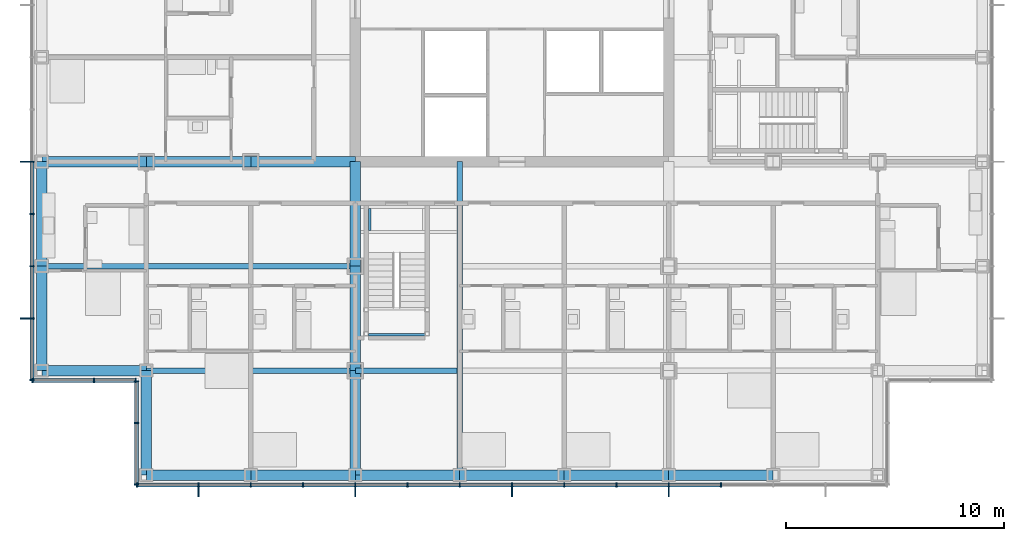
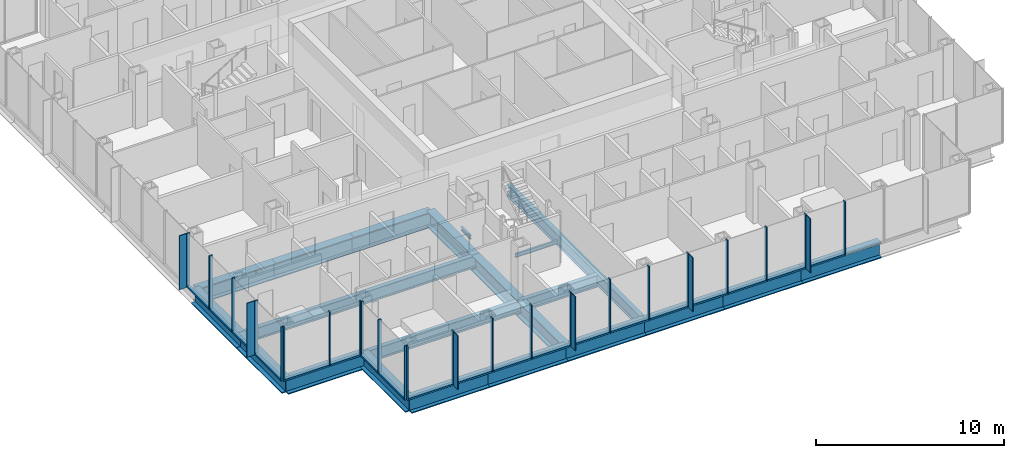
# One storey, part 6 of 22: 48 members, 22 beams, 4 elements without a shape of their own.
"""IFC4 building model written with IfcOpenShell, lengths in metres."""

from ifc_helpers import new_model, si_unit, direction, frame, origin, origin_2d, place, context, subcontext, project, spatial, rectangle, i_section, extrude, material, material_profile, profile_set, type_object, element, aggregate, save


model = new_model("IFC4")

# Units and contexts
model_context = context("Model", 3, precision=1e-05, world=origin(), true_north=direction((0.0, 1.0)))
body_context = subcontext(model_context, "Body", "Model", "MODEL_VIEW")
ifc_project = project(units=[si_unit("LENGTHUNIT", "METRE"), si_unit("AREAUNIT", "SQUARE_METRE"), si_unit("VOLUMEUNIT", "CUBIC_METRE"), si_unit("PLANEANGLEUNIT", "RADIAN"), si_unit("MASSUNIT", "GRAM", prefix="KILO")], contexts=[model_context])

# Site, building, storey
site_placement = place(None, origin())
site = spatial("IfcSite", under=ifc_project, at=site_placement, CompositionType="ELEMENT")
building_placement = place(site_placement, origin())
building = spatial("IfcBuilding", under=site, at=building_placement, Name="Kvirike Care Tower", CompositionType="ELEMENT")
storey_placement = place(building_placement, frame((0.0, 0.0, 69.0)))
storey = spatial("IfcBuildingStorey", under=building, at=storey_placement, Name="L18", CompositionType="ELEMENT", Elevation=69.0)

# Curtain wall, members
ifc_material_1 = material(Name="Anodised aluminium stick system", Category="aluminium")
curtain_wall_type = type_object("IfcCurtainWallType", Name="CW-A STICK CURTAIN WALL", PredefinedType="NOTDEFINED", material=ifc_material_1)
curtain_wall_1_placement = place(storey_placement, origin())
curtain_wall_1 = element("IfcCurtainWall", 1, at=curtain_wall_1_placement, inside=storey, type_object=curtain_wall_type, Name="Curtain wall L18 face 1", PredefinedType="NOTDEFINED")
ifc_material_2 = material(Name="Bronze anodised aluminium fin", Category="aluminium")
ifc_material_profile_1 = material_profile(ifc_material_2, rectangle(XDim=0.050048828125, YDim=0.449951171875, at=origin_2d()), Name="BRONZE FIN 450")
ifc_profile_set_1 = profile_set([ifc_material_profile_1], Name="Bronze anodised aluminium fin")
member_type_1 = type_object("IfcMemberType", Name="BRONZE FIN 450", PredefinedType="USERDEFINED", material=ifc_profile_set_1)
member_1_placement = place(storey_placement, frame((-0.77490234375, 28.800048828125, 0.0), z_axis=(0.0, 0.0, 1.0), x_axis=(0.0, -1.0, 0.0)))
member_1 = element("IfcMember", 2, at=member_1_placement, type_object=member_type_1, Name="Bronze fin L18 face 1.11", ObjectType="FIN", PredefinedType="USERDEFINED", context=body_context, shape_type="SweptSolid", body=[
    extrude(rectangle(XDim=0.050048828125, YDim=0.449951171875, at=origin_2d()), origin(), (0.0, 0.0, 1.0), 3.5),
])
member_2_placement = place(storey_placement, frame((-0.77490234375, 21.60009765625, 0.0), z_axis=(0.0, 0.0, 1.0), x_axis=(0.0, -1.0, 0.0)))
member_2 = element("IfcMember", 3, at=member_2_placement, type_object=member_type_1, Name="Bronze fin L18 face 1.14", ObjectType="FIN", PredefinedType="USERDEFINED", context=body_context, shape_type="SweptSolid", body=[
    extrude(rectangle(XDim=0.050048828125, YDim=0.449951171875, at=origin_2d()), origin(), (0.0, 0.0, 1.0), 3.5),
])

curtain_wall_2_placement = place(storey_placement, origin())
curtain_wall_2 = element("IfcCurtainWall", 4, at=curtain_wall_2_placement, inside=storey, type_object=curtain_wall_type, Name="Curtain wall L18 face 4", PredefinedType="NOTDEFINED")
member_3_placement = place(storey_placement, frame((7.199951171875, 13.625, 0.0), z_axis=(0.0, 0.0, 1.0), x_axis=(1.0, 0.0, 0.0)))
member_3 = element("IfcMember", 5, at=member_3_placement, type_object=member_type_1, Name="Bronze fin L18 face 4.2", ObjectType="FIN", PredefinedType="USERDEFINED", context=body_context, shape_type="SweptSolid", body=[
    extrude(rectangle(XDim=0.050048828125, YDim=0.449951171875, at=origin_2d()), origin(), (0.0, 0.0, 1.0), 3.5),
])
member_4_placement = place(storey_placement, frame((14.39990234375, 13.625, 0.0), z_axis=(0.0, 0.0, 1.0), x_axis=(1.0, 0.0, 0.0)))
member_4 = element("IfcMember", 6, at=member_4_placement, type_object=member_type_1, Name="Bronze fin L18 face 4.5", ObjectType="FIN", PredefinedType="USERDEFINED", context=body_context, shape_type="SweptSolid", body=[
    extrude(rectangle(XDim=0.050048828125, YDim=0.449951171875, at=origin_2d()), origin(), (0.0, 0.0, 1.0), 3.5),
])
member_5_placement = place(storey_placement, frame((21.60009765625, 13.625, 0.0), z_axis=(0.0, 0.0, 1.0), x_axis=(1.0, 0.0, 0.0)))
member_5 = element("IfcMember", 7, at=member_5_placement, type_object=member_type_1, Name="Bronze fin L18 face 4.8", ObjectType="FIN", PredefinedType="USERDEFINED", context=body_context, shape_type="SweptSolid", body=[
    extrude(rectangle(XDim=0.050048828125, YDim=0.449951171875, at=origin_2d()), origin(), (0.0, 0.0, 1.0), 3.5),
])
member_6_placement = place(storey_placement, frame((28.800048828125, 13.625, 0.0), z_axis=(0.0, 0.0, 1.0), x_axis=(1.0, 0.0, 0.0)))
member_6 = element("IfcMember", 8, at=member_6_placement, type_object=member_type_1, Name="Bronze fin L18 face 4.11", ObjectType="FIN", PredefinedType="USERDEFINED", context=body_context, shape_type="SweptSolid", body=[
    extrude(rectangle(XDim=0.050048828125, YDim=0.449951171875, at=origin_2d()), origin(), (0.0, 0.0, 1.0), 3.5),
])

# Member
ifc_material_3 = material(Name="Bronze anodised aluminium mullion", Category="aluminium")
ifc_material_profile_2 = material_profile(ifc_material_3, rectangle(XDim=0.06494140625, YDim=0.199951171875, at=origin_2d()), Name="CW-A MULLION 65x200")
ifc_profile_set_2 = profile_set([ifc_material_profile_2], Name="Bronze anodised aluminium mullion")
member_type_2 = type_object("IfcMemberType", Name="CW-A MULLION 65x200", PredefinedType="MULLION", material=ifc_profile_set_2)
member_7_placement = place(storey_placement, frame((-0.449951171875, 28.800048828125, 0.0), z_axis=(0.0, 0.0, 1.0), x_axis=(0.0, -1.0, 0.0)))
member_7 = element("IfcMember", 9, at=member_7_placement, type_object=member_type_2, Name="CW-A mullion L18 face 1.11", PredefinedType="MULLION", context=body_context, shape_type="SweptSolid", body=[
    extrude(rectangle(XDim=0.06494140625, YDim=0.199951171875, at=origin_2d()), origin(), (0.0, 0.0, 1.0), 3.5),
])

member_8_placement = place(storey_placement, frame((-0.449951171875, 26.39990234375, 0.0), z_axis=(0.0, 0.0, 1.0), x_axis=(0.0, -1.0, 0.0)))
member_8 = element("IfcMember", 10, at=member_8_placement, type_object=member_type_2, Name="CW-A mullion L18 face 1.12", PredefinedType="MULLION", context=body_context, shape_type="SweptSolid", body=[
    extrude(rectangle(XDim=0.06494140625, YDim=0.199951171875, at=origin_2d()), origin(), (0.0, 0.0, 1.0), 3.5),
])

member_9_placement = place(storey_placement, frame((-0.449951171875, 24.0, 0.0), z_axis=(0.0, 0.0, 1.0), x_axis=(0.0, -1.0, 0.0)))
member_9 = element("IfcMember", 11, at=member_9_placement, type_object=member_type_2, Name="CW-A mullion L18 face 1.13", PredefinedType="MULLION", context=body_context, shape_type="SweptSolid", body=[
    extrude(rectangle(XDim=0.06494140625, YDim=0.199951171875, at=origin_2d()), origin(), (0.0, 0.0, 1.0), 3.5),
])

member_10_placement = place(storey_placement, frame((-0.449951171875, 21.60009765625, 0.0), z_axis=(0.0, 0.0, 1.0), x_axis=(0.0, -1.0, 0.0)))
member_10 = element("IfcMember", 12, at=member_10_placement, type_object=member_type_2, Name="CW-A mullion L18 face 1.14", PredefinedType="MULLION", context=body_context, shape_type="SweptSolid", body=[
    extrude(rectangle(XDim=0.06494140625, YDim=0.199951171875, at=origin_2d()), origin(), (0.0, 0.0, 1.0), 3.5),
])

member_11_placement = place(storey_placement, frame((-0.449951171875, 18.782470703125, 0.0), z_axis=(0.0, 0.0, 1.0), x_axis=(0.0, -1.0, 0.0)))
member_11 = element("IfcMember", 13, at=member_11_placement, type_object=member_type_2, Name="CW-A mullion L18 face 1.15", PredefinedType="MULLION", context=body_context, shape_type="SweptSolid", body=[
    extrude(rectangle(XDim=0.06494140625, YDim=0.199951171875, at=origin_2d()), origin(), (0.0, 0.0, 1.0), 3.5),
])

# Curtain wall, members
curtain_wall_3_placement = place(storey_placement, origin())
curtain_wall_3 = element("IfcCurtainWall", 14, at=curtain_wall_3_placement, inside=storey, type_object=curtain_wall_type, Name="Curtain wall L18 face 2", PredefinedType="NOTDEFINED")
member_12_placement = place(storey_placement, frame((-0.41748046875, 18.75, 0.0), z_axis=(0.0, 0.0, 1.0), x_axis=(1.0, 0.0, 0.0)))
member_12 = element("IfcMember", 15, at=member_12_placement, type_object=member_type_2, Name="CW-A mullion L18 face 2.1", PredefinedType="MULLION", context=body_context, shape_type="SweptSolid", body=[
    extrude(rectangle(XDim=0.06494140625, YDim=0.199951171875, at=origin_2d()), origin(), (0.0, 0.0, 1.0), 3.5),
])
member_13_placement = place(storey_placement, frame((2.39990234375, 18.75, 0.0), z_axis=(0.0, 0.0, 1.0), x_axis=(1.0, 0.0, 0.0)))
member_13 = element("IfcMember", 16, at=member_13_placement, type_object=member_type_2, Name="CW-A mullion L18 face 2.2", PredefinedType="MULLION", context=body_context, shape_type="SweptSolid", body=[
    extrude(rectangle(XDim=0.06494140625, YDim=0.199951171875, at=origin_2d()), origin(), (0.0, 0.0, 1.0), 3.5),
])
member_14_placement = place(storey_placement, frame((4.3173828125, 18.75, 0.0), z_axis=(0.0, 0.0, 1.0), x_axis=(1.0, 0.0, 0.0)))
member_14 = element("IfcMember", 17, at=member_14_placement, type_object=member_type_2, Name="CW-A mullion L18 face 2.3", PredefinedType="MULLION", context=body_context, shape_type="SweptSolid", body=[
    extrude(rectangle(XDim=0.06494140625, YDim=0.199951171875, at=origin_2d()), origin(), (0.0, 0.0, 1.0), 3.5),
])

curtain_wall_4_placement = place(storey_placement, origin())
curtain_wall_4 = element("IfcCurtainWall", 18, at=curtain_wall_4_placement, inside=storey, type_object=curtain_wall_type, Name="Curtain wall L18 face 3", PredefinedType="NOTDEFINED")
member_15_placement = place(storey_placement, frame((4.35009765625, 18.717529296875, 0.0), z_axis=(0.0, 0.0, 1.0), x_axis=(0.0, -1.0, 0.0)))
member_15 = element("IfcMember", 19, at=member_15_placement, type_object=member_type_2, Name="CW-A mullion L18 face 3.1", PredefinedType="MULLION", context=body_context, shape_type="SweptSolid", body=[
    extrude(rectangle(XDim=0.06494140625, YDim=0.199951171875, at=origin_2d()), origin(), (0.0, 0.0, 1.0), 3.5),
])
member_16_placement = place(storey_placement, frame((4.35009765625, 16.800048828125, 0.0), z_axis=(0.0, 0.0, 1.0), x_axis=(0.0, -1.0, 0.0)))
member_16 = element("IfcMember", 20, at=member_16_placement, type_object=member_type_2, Name="CW-A mullion L18 face 3.2", PredefinedType="MULLION", context=body_context, shape_type="SweptSolid", body=[
    extrude(rectangle(XDim=0.06494140625, YDim=0.199951171875, at=origin_2d()), origin(), (0.0, 0.0, 1.0), 3.5),
])
member_17_placement = place(storey_placement, frame((4.35009765625, 13.982421875, 0.0), z_axis=(0.0, 0.0, 1.0), x_axis=(0.0, -1.0, 0.0)))
member_17 = element("IfcMember", 21, at=member_17_placement, type_object=member_type_2, Name="CW-A mullion L18 face 3.3", PredefinedType="MULLION", context=body_context, shape_type="SweptSolid", body=[
    extrude(rectangle(XDim=0.06494140625, YDim=0.199951171875, at=origin_2d()), origin(), (0.0, 0.0, 1.0), 3.5),
])

# Member
member_18_placement = place(storey_placement, frame((4.382568359375, 13.949951171875, 0.0), z_axis=(0.0, 0.0, 1.0), x_axis=(1.0, 0.0, 0.0)))
member_18 = element("IfcMember", 22, at=member_18_placement, type_object=member_type_2, Name="CW-A mullion L18 face 4.1", PredefinedType="MULLION", context=body_context, shape_type="SweptSolid", body=[
    extrude(rectangle(XDim=0.06494140625, YDim=0.199951171875, at=origin_2d()), origin(), (0.0, 0.0, 1.0), 3.5),
])

member_19_placement = place(storey_placement, frame((7.199951171875, 13.949951171875, 0.0), z_axis=(0.0, 0.0, 1.0), x_axis=(1.0, 0.0, 0.0)))
member_19 = element("IfcMember", 23, at=member_19_placement, type_object=member_type_2, Name="CW-A mullion L18 face 4.2", PredefinedType="MULLION", context=body_context, shape_type="SweptSolid", body=[
    extrude(rectangle(XDim=0.06494140625, YDim=0.199951171875, at=origin_2d()), origin(), (0.0, 0.0, 1.0), 3.5),
])

member_20_placement = place(storey_placement, frame((9.60009765625, 13.949951171875, 0.0), z_axis=(0.0, 0.0, 1.0), x_axis=(1.0, 0.0, 0.0)))
member_20 = element("IfcMember", 24, at=member_20_placement, type_object=member_type_2, Name="CW-A mullion L18 face 4.3", PredefinedType="MULLION", context=body_context, shape_type="SweptSolid", body=[
    extrude(rectangle(XDim=0.06494140625, YDim=0.199951171875, at=origin_2d()), origin(), (0.0, 0.0, 1.0), 3.5),
])

member_21_placement = place(storey_placement, frame((12.0, 13.949951171875, 0.0), z_axis=(0.0, 0.0, 1.0), x_axis=(1.0, 0.0, 0.0)))
member_21 = element("IfcMember", 25, at=member_21_placement, type_object=member_type_2, Name="CW-A mullion L18 face 4.4", PredefinedType="MULLION", context=body_context, shape_type="SweptSolid", body=[
    extrude(rectangle(XDim=0.06494140625, YDim=0.199951171875, at=origin_2d()), origin(), (0.0, 0.0, 1.0), 3.5),
])

member_22_placement = place(storey_placement, frame((14.39990234375, 13.949951171875, 0.0), z_axis=(0.0, 0.0, 1.0), x_axis=(1.0, 0.0, 0.0)))
member_22 = element("IfcMember", 26, at=member_22_placement, type_object=member_type_2, Name="CW-A mullion L18 face 4.5", PredefinedType="MULLION", context=body_context, shape_type="SweptSolid", body=[
    extrude(rectangle(XDim=0.06494140625, YDim=0.199951171875, at=origin_2d()), origin(), (0.0, 0.0, 1.0), 3.5),
])

member_23_placement = place(storey_placement, frame((16.800048828125, 13.949951171875, 0.0), z_axis=(0.0, 0.0, 1.0), x_axis=(1.0, 0.0, 0.0)))
member_23 = element("IfcMember", 27, at=member_23_placement, type_object=member_type_2, Name="CW-A mullion L18 face 4.6", PredefinedType="MULLION", context=body_context, shape_type="SweptSolid", body=[
    extrude(rectangle(XDim=0.06494140625, YDim=0.199951171875, at=origin_2d()), origin(), (0.0, 0.0, 1.0), 3.5),
])

member_24_placement = place(storey_placement, frame((19.199951171875, 13.949951171875, 0.0), z_axis=(0.0, 0.0, 1.0), x_axis=(1.0, 0.0, 0.0)))
member_24 = element("IfcMember", 28, at=member_24_placement, type_object=member_type_2, Name="CW-A mullion L18 face 4.7", PredefinedType="MULLION", context=body_context, shape_type="SweptSolid", body=[
    extrude(rectangle(XDim=0.06494140625, YDim=0.199951171875, at=origin_2d()), origin(), (0.0, 0.0, 1.0), 3.5),
])

member_25_placement = place(storey_placement, frame((21.60009765625, 13.949951171875, 0.0), z_axis=(0.0, 0.0, 1.0), x_axis=(1.0, 0.0, 0.0)))
member_25 = element("IfcMember", 29, at=member_25_placement, type_object=member_type_2, Name="CW-A mullion L18 face 4.8", PredefinedType="MULLION", context=body_context, shape_type="SweptSolid", body=[
    extrude(rectangle(XDim=0.06494140625, YDim=0.199951171875, at=origin_2d()), origin(), (0.0, 0.0, 1.0), 3.5),
])

member_26_placement = place(storey_placement, frame((24.0, 13.949951171875, 0.0), z_axis=(0.0, 0.0, 1.0), x_axis=(1.0, 0.0, 0.0)))
member_26 = element("IfcMember", 30, at=member_26_placement, type_object=member_type_2, Name="CW-A mullion L18 face 4.9", PredefinedType="MULLION", context=body_context, shape_type="SweptSolid", body=[
    extrude(rectangle(XDim=0.06494140625, YDim=0.199951171875, at=origin_2d()), origin(), (0.0, 0.0, 1.0), 3.5),
])

member_27_placement = place(storey_placement, frame((26.39990234375, 13.949951171875, 0.0), z_axis=(0.0, 0.0, 1.0), x_axis=(1.0, 0.0, 0.0)))
member_27 = element("IfcMember", 31, at=member_27_placement, type_object=member_type_2, Name="CW-A mullion L18 face 4.10", PredefinedType="MULLION", context=body_context, shape_type="SweptSolid", body=[
    extrude(rectangle(XDim=0.06494140625, YDim=0.199951171875, at=origin_2d()), origin(), (0.0, 0.0, 1.0), 3.5),
])

member_28_placement = place(storey_placement, frame((28.800048828125, 13.949951171875, 0.0), z_axis=(0.0, 0.0, 1.0), x_axis=(1.0, 0.0, 0.0)))
member_28 = element("IfcMember", 32, at=member_28_placement, type_object=member_type_2, Name="CW-A mullion L18 face 4.11", PredefinedType="MULLION", context=body_context, shape_type="SweptSolid", body=[
    extrude(rectangle(XDim=0.06494140625, YDim=0.199951171875, at=origin_2d()), origin(), (0.0, 0.0, 1.0), 3.5),
])

member_29_placement = place(storey_placement, frame((31.199951171875, 13.949951171875, 0.0), z_axis=(0.0, 0.0, 1.0), x_axis=(1.0, 0.0, 0.0)))
member_29 = element("IfcMember", 33, at=member_29_placement, type_object=member_type_2, Name="CW-A mullion L18 face 4.12", PredefinedType="MULLION", context=body_context, shape_type="SweptSolid", body=[
    extrude(rectangle(XDim=0.06494140625, YDim=0.199951171875, at=origin_2d()), origin(), (0.0, 0.0, 1.0), 3.5),
])

ifc_material_4 = material(Name="Bronze anodised aluminium transom", Category="aluminium")
ifc_material_profile_3 = material_profile(ifc_material_4, rectangle(XDim=0.199951171875, YDim=0.10009765625, at=origin_2d()), Name="CW-A TRANSOM 200x100")
ifc_profile_set_3 = profile_set([ifc_material_profile_3], Name="Bronze anodised aluminium transom")
member_type_3 = type_object("IfcMemberType", Name="CW-A TRANSOM 200x100", PredefinedType="USERDEFINED", material=ifc_profile_set_3)
member_30_placement = place(storey_placement, frame((-0.449951171875, 28.767578125, 0.050048828125), z_axis=(0.0, -1.0, 0.0), x_axis=(1.0, 0.0, 0.0)))
member_30 = element("IfcMember", 34, at=member_30_placement, type_object=member_type_3, Name="CW-A sill transom L18 face 1.11", ObjectType="TRANSOM", PredefinedType="USERDEFINED", context=body_context, shape_type="SweptSolid", body=[
    extrude(rectangle(XDim=0.199951171875, YDim=0.10009765625, at=origin_2d()), origin(), (0.0, 0.0, 1.0), 2.3349609375),
])

member_31_placement = place(storey_placement, frame((-0.449951171875, 26.367431640625, 0.050048828125), z_axis=(0.0, -1.0, 0.0), x_axis=(1.0, 0.0, 0.0)))
member_31 = element("IfcMember", 35, at=member_31_placement, type_object=member_type_3, Name="CW-A sill transom L18 face 1.12", ObjectType="TRANSOM", PredefinedType="USERDEFINED", context=body_context, shape_type="SweptSolid", body=[
    extrude(rectangle(XDim=0.199951171875, YDim=0.10009765625, at=origin_2d()), origin(), (0.0, 0.0, 1.0), 2.3349609375),
])

member_32_placement = place(storey_placement, frame((-0.449951171875, 23.967529296875, 0.050048828125), z_axis=(0.0, -1.0, 0.0), x_axis=(1.0, 0.0, 0.0)))
member_32 = element("IfcMember", 36, at=member_32_placement, type_object=member_type_3, Name="CW-A sill transom L18 face 1.13", ObjectType="TRANSOM", PredefinedType="USERDEFINED", context=body_context, shape_type="SweptSolid", body=[
    extrude(rectangle(XDim=0.199951171875, YDim=0.10009765625, at=origin_2d()), origin(), (0.0, 0.0, 1.0), 2.3349609375),
])

member_33_placement = place(storey_placement, frame((-0.449951171875, 21.5673828125, 0.050048828125), z_axis=(0.0, -1.0, 0.0), x_axis=(1.0, 0.0, 0.0)))
member_33 = element("IfcMember", 37, at=member_33_placement, type_object=member_type_3, Name="CW-A sill transom L18 face 1.14", ObjectType="TRANSOM", PredefinedType="USERDEFINED", context=body_context, shape_type="SweptSolid", body=[
    extrude(rectangle(XDim=0.199951171875, YDim=0.10009765625, at=origin_2d()), origin(), (0.0, 0.0, 1.0), 2.75244140625),
])

aggregate(curtain_wall_1, [member_7, member_1, member_8, member_9, member_10, member_2, member_11, member_30, member_31, member_32, member_33])

member_34_placement = place(storey_placement, frame((-0.385009765625, 18.75, 0.050048828125), z_axis=(1.0, 0.0, 0.0), x_axis=(0.0, 1.0, 0.0)))
member_34 = element("IfcMember", 38, at=member_34_placement, type_object=member_type_3, Name="CW-A sill transom L18 face 2.1", ObjectType="TRANSOM", PredefinedType="USERDEFINED", context=body_context, shape_type="SweptSolid", body=[
    extrude(rectangle(XDim=0.199951171875, YDim=0.10009765625, at=origin_2d()), origin(), (0.0, 0.0, 1.0), 2.75244140625),
])

member_35_placement = place(storey_placement, frame((2.4326171875, 18.75, 0.050048828125), z_axis=(1.0, 0.0, 0.0), x_axis=(0.0, 1.0, 0.0)))
member_35 = element("IfcMember", 39, at=member_35_placement, type_object=member_type_3, Name="CW-A sill transom L18 face 2.2", ObjectType="TRANSOM", PredefinedType="USERDEFINED", context=body_context, shape_type="SweptSolid", body=[
    extrude(rectangle(XDim=0.199951171875, YDim=0.10009765625, at=origin_2d()), origin(), (0.0, 0.0, 1.0), 1.852294921875),
])

aggregate(curtain_wall_3, [member_12, member_13, member_14, member_34, member_35])

member_36_placement = place(storey_placement, frame((4.35009765625, 18.68505859375, 0.050048828125), z_axis=(0.0, -1.0, 0.0), x_axis=(1.0, 0.0, 0.0)))
member_36 = element("IfcMember", 40, at=member_36_placement, type_object=member_type_3, Name="CW-A sill transom L18 face 3.1", ObjectType="TRANSOM", PredefinedType="USERDEFINED", context=body_context, shape_type="SweptSolid", body=[
    extrude(rectangle(XDim=0.199951171875, YDim=0.10009765625, at=origin_2d()), origin(), (0.0, 0.0, 1.0), 1.8525390625),
])

member_37_placement = place(storey_placement, frame((4.35009765625, 16.767578125, 0.050048828125), z_axis=(0.0, -1.0, 0.0), x_axis=(1.0, 0.0, 0.0)))
member_37 = element("IfcMember", 41, at=member_37_placement, type_object=member_type_3, Name="CW-A sill transom L18 face 3.2", ObjectType="TRANSOM", PredefinedType="USERDEFINED", context=body_context, shape_type="SweptSolid", body=[
    extrude(rectangle(XDim=0.199951171875, YDim=0.10009765625, at=origin_2d()), origin(), (0.0, 0.0, 1.0), 2.752685546875),
])

aggregate(curtain_wall_4, [member_15, member_16, member_17, member_36, member_37])

member_38_placement = place(storey_placement, frame((4.4150390625, 13.949951171875, 0.050048828125), z_axis=(1.0, 0.0, 0.0), x_axis=(0.0, 1.0, 0.0)))
member_38 = element("IfcMember", 42, at=member_38_placement, type_object=member_type_3, Name="CW-A sill transom L18 face 4.1", ObjectType="TRANSOM", PredefinedType="USERDEFINED", context=body_context, shape_type="SweptSolid", body=[
    extrude(rectangle(XDim=0.199951171875, YDim=0.10009765625, at=origin_2d()), origin(), (0.0, 0.0, 1.0), 2.75244140625),
])

member_39_placement = place(storey_placement, frame((7.232421875, 13.949951171875, 0.050048828125), z_axis=(1.0, 0.0, 0.0), x_axis=(0.0, 1.0, 0.0)))
member_39 = element("IfcMember", 43, at=member_39_placement, type_object=member_type_3, Name="CW-A sill transom L18 face 4.2", ObjectType="TRANSOM", PredefinedType="USERDEFINED", context=body_context, shape_type="SweptSolid", body=[
    extrude(rectangle(XDim=0.199951171875, YDim=0.10009765625, at=origin_2d()), origin(), (0.0, 0.0, 1.0), 2.3349609375),
])

member_40_placement = place(storey_placement, frame((9.632568359375, 13.949951171875, 0.050048828125), z_axis=(1.0, 0.0, 0.0), x_axis=(0.0, 1.0, 0.0)))
member_40 = element("IfcMember", 44, at=member_40_placement, type_object=member_type_3, Name="CW-A sill transom L18 face 4.3", ObjectType="TRANSOM", PredefinedType="USERDEFINED", context=body_context, shape_type="SweptSolid", body=[
    extrude(rectangle(XDim=0.199951171875, YDim=0.10009765625, at=origin_2d()), origin(), (0.0, 0.0, 1.0), 2.3349609375),
])

member_41_placement = place(storey_placement, frame((12.032470703125, 13.949951171875, 0.050048828125), z_axis=(1.0, 0.0, 0.0), x_axis=(0.0, 1.0, 0.0)))
member_41 = element("IfcMember", 45, at=member_41_placement, type_object=member_type_3, Name="CW-A sill transom L18 face 4.4", ObjectType="TRANSOM", PredefinedType="USERDEFINED", context=body_context, shape_type="SweptSolid", body=[
    extrude(rectangle(XDim=0.199951171875, YDim=0.10009765625, at=origin_2d()), origin(), (0.0, 0.0, 1.0), 2.3349609375),
])

member_42_placement = place(storey_placement, frame((14.4326171875, 13.949951171875, 0.050048828125), z_axis=(1.0, 0.0, 0.0), x_axis=(0.0, 1.0, 0.0)))
member_42 = element("IfcMember", 46, at=member_42_placement, type_object=member_type_3, Name="CW-A sill transom L18 face 4.5", ObjectType="TRANSOM", PredefinedType="USERDEFINED", context=body_context, shape_type="SweptSolid", body=[
    extrude(rectangle(XDim=0.199951171875, YDim=0.10009765625, at=origin_2d()), origin(), (0.0, 0.0, 1.0), 2.3349609375),
])

member_43_placement = place(storey_placement, frame((16.83251953125, 13.949951171875, 0.050048828125), z_axis=(1.0, 0.0, 0.0), x_axis=(0.0, 1.0, 0.0)))
member_43 = element("IfcMember", 47, at=member_43_placement, type_object=member_type_3, Name="CW-A sill transom L18 face 4.6", ObjectType="TRANSOM", PredefinedType="USERDEFINED", context=body_context, shape_type="SweptSolid", body=[
    extrude(rectangle(XDim=0.199951171875, YDim=0.10009765625, at=origin_2d()), origin(), (0.0, 0.0, 1.0), 2.3349609375),
])

member_44_placement = place(storey_placement, frame((19.232421875, 13.949951171875, 0.050048828125), z_axis=(1.0, 0.0, 0.0), x_axis=(0.0, 1.0, 0.0)))
member_44 = element("IfcMember", 48, at=member_44_placement, type_object=member_type_3, Name="CW-A sill transom L18 face 4.7", ObjectType="TRANSOM", PredefinedType="USERDEFINED", context=body_context, shape_type="SweptSolid", body=[
    extrude(rectangle(XDim=0.199951171875, YDim=0.10009765625, at=origin_2d()), origin(), (0.0, 0.0, 1.0), 2.3349609375),
])

member_45_placement = place(storey_placement, frame((21.632568359375, 13.949951171875, 0.050048828125), z_axis=(1.0, 0.0, 0.0), x_axis=(0.0, 1.0, 0.0)))
member_45 = element("IfcMember", 49, at=member_45_placement, type_object=member_type_3, Name="CW-A sill transom L18 face 4.8", ObjectType="TRANSOM", PredefinedType="USERDEFINED", context=body_context, shape_type="SweptSolid", body=[
    extrude(rectangle(XDim=0.199951171875, YDim=0.10009765625, at=origin_2d()), origin(), (0.0, 0.0, 1.0), 2.3349609375),
])

member_46_placement = place(storey_placement, frame((24.032470703125, 13.949951171875, 0.050048828125), z_axis=(1.0, 0.0, 0.0), x_axis=(0.0, 1.0, 0.0)))
member_46 = element("IfcMember", 50, at=member_46_placement, type_object=member_type_3, Name="CW-A sill transom L18 face 4.9", ObjectType="TRANSOM", PredefinedType="USERDEFINED", context=body_context, shape_type="SweptSolid", body=[
    extrude(rectangle(XDim=0.199951171875, YDim=0.10009765625, at=origin_2d()), origin(), (0.0, 0.0, 1.0), 2.3349609375),
])

member_47_placement = place(storey_placement, frame((26.4326171875, 13.949951171875, 0.050048828125), z_axis=(1.0, 0.0, 0.0), x_axis=(0.0, 1.0, 0.0)))
member_47 = element("IfcMember", 51, at=member_47_placement, type_object=member_type_3, Name="CW-A sill transom L18 face 4.10", ObjectType="TRANSOM", PredefinedType="USERDEFINED", context=body_context, shape_type="SweptSolid", body=[
    extrude(rectangle(XDim=0.199951171875, YDim=0.10009765625, at=origin_2d()), origin(), (0.0, 0.0, 1.0), 2.3349609375),
])

member_48_placement = place(storey_placement, frame((28.83251953125, 13.949951171875, 0.050048828125), z_axis=(1.0, 0.0, 0.0), x_axis=(0.0, 1.0, 0.0)))
member_48 = element("IfcMember", 52, at=member_48_placement, type_object=member_type_3, Name="CW-A sill transom L18 face 4.11", ObjectType="TRANSOM", PredefinedType="USERDEFINED", context=body_context, shape_type="SweptSolid", body=[
    extrude(rectangle(XDim=0.199951171875, YDim=0.10009765625, at=origin_2d()), origin(), (0.0, 0.0, 1.0), 2.3349609375),
])

aggregate(curtain_wall_2, [member_18, member_19, member_3, member_20, member_21, member_22, member_4, member_23, member_24, member_25, member_5, member_26, member_27, member_28, member_6, member_29, member_38, member_39, member_40, member_41, member_42, member_43, member_44, member_45, member_46, member_47, member_48])

# Beams
ifc_material_5 = material(Name="Steel S355", Category="steel")
ifc_material_profile_4 = material_profile(ifc_material_5, i_section(OverallWidth=0.26806640625, OverallDepth=0.77001953125, WebThickness=0.015625, FlangeThickness=0.025390625, FilletRadius=0.01708984375, at=origin_2d()), Name="IPE 750x196")
ifc_profile_set_4 = profile_set([ifc_material_profile_4], Name="Steel S355")
beam_type_1 = type_object("IfcBeamType", Name="FLOOR BEAM IPE 750x196", PredefinedType="BEAM", material=ifc_profile_set_4)
beam_1_placement = place(storey_placement, frame((4.800048828125, 19.199951171875, -0.554931640625), z_axis=(1.0, 0.0, 0.0), x_axis=(0.0, 1.0, 0.0)))
element("IfcBeam", 53, at=beam_1_placement, inside=storey, type_object=beam_type_1, Name="Floor Beam E4-E6 L18", PredefinedType="BEAM", context=body_context, shape_type="SweptSolid", body=[
    extrude(i_section(OverallWidth=0.26806640625, OverallDepth=0.77001953125, WebThickness=0.015625, FlangeThickness=0.025390625, FilletRadius=0.01708984375, at=origin_2d()), origin(), (0.0, 0.0, 1.0), 9.599853515625),
])
beam_2_placement = place(storey_placement, frame((14.39990234375, 19.199951171875, -0.554931640625), z_axis=(1.0, 0.0, 0.0), x_axis=(0.0, 1.0, 0.0)))
element("IfcBeam", 54, at=beam_2_placement, inside=storey, type_object=beam_type_1, Name="Floor Beam E6-E7 L18", PredefinedType="BEAM", context=body_context, shape_type="SweptSolid", body=[
    extrude(i_section(OverallWidth=0.26806640625, OverallDepth=0.77001953125, WebThickness=0.015625, FlangeThickness=0.025390625, FilletRadius=0.01708984375, at=origin_2d()), origin(), (0.0, 0.0, 1.0), 4.666015625),
])
beam_3_placement = place(storey_placement, frame((0.0, 24.0, -0.554931640625), z_axis=(1.0, 0.0, 0.0), x_axis=(0.0, 1.0, 0.0)))
element("IfcBeam", 55, at=beam_3_placement, inside=storey, type_object=beam_type_1, Name="Floor Beam F3-F6 L18", PredefinedType="BEAM", context=body_context, shape_type="SweptSolid", body=[
    extrude(i_section(OverallWidth=0.26806640625, OverallDepth=0.77001953125, WebThickness=0.015625, FlangeThickness=0.025390625, FilletRadius=0.01708984375, at=origin_2d()), origin(), (0.0, 0.0, 1.0), 14.39990234375),
])
beam_4_placement = place(storey_placement, frame((19.199951171875, 14.39990234375, -0.554931640625), z_axis=(0.0, 1.0, 0.0), x_axis=(-1.0, 0.0, 0.0)))
element("IfcBeam", 56, at=beam_4_placement, inside=storey, type_object=beam_type_1, Name="Floor Beam D7-G7 L18", PredefinedType="BEAM", context=body_context, shape_type="SweptSolid", body=[
    extrude(i_section(OverallWidth=0.26806640625, OverallDepth=0.77001953125, WebThickness=0.015625, FlangeThickness=0.025390625, FilletRadius=0.01708984375, at=origin_2d()), origin(), (0.0, 0.0, 1.0), 14.400146484375),
])
ifc_material_6 = material(Name="Steel S355", Category="steel")
ifc_material_profile_5 = material_profile(ifc_material_6, i_section(OverallWidth=0.5, OverallDepth=1.0, WebThickness=0.030029296875, FlangeThickness=0.06005859375, at=origin_2d()), Name="PG 1000x500x30x60")
ifc_profile_set_5 = profile_set([ifc_material_profile_5], Name="Steel S355")
beam_type_2 = type_object("IfcBeamType", Name="FRAME BEAM PG 1000x500x30x60", PredefinedType="BEAM", material=ifc_profile_set_5)
for number, where, z_axis, x_axis, name in (
    (57, (0.0, 28.800048828125, -0.669921875), (1.0, 0.0, 0.0), (0.0, 1.0, 0.0), "Frame Beam G3-G4 L18"),
    (58, (4.800048828125, 28.800048828125, -0.669921875), (1.0, 0.0, 0.0), (0.0, 1.0, 0.0), "Frame Beam G4-G5 L18"),
):
    element("IfcBeam", number, at=place(storey_placement, frame(where, z_axis=z_axis, x_axis=x_axis)), inside=storey, type_object=beam_type_2, Name=name, PredefinedType="BEAM", context=body_context, shape_type="SweptSolid", body=[
        extrude(i_section(OverallWidth=0.5, OverallDepth=1.0, WebThickness=0.030029296875, FlangeThickness=0.06005859375, at=origin_2d()), origin(), (0.0, 0.0, 1.0), 4.800048828125),
    ])
beam_5_placement = place(storey_placement, frame((9.60009765625, 28.800048828125, -0.669921875), z_axis=(1.0, 0.0, 0.0), x_axis=(0.0, 1.0, 0.0)))
element("IfcBeam", 59, at=beam_5_placement, inside=storey, type_object=beam_type_2, Name="Frame Beam G5-G6 L18", PredefinedType="BEAM", context=body_context, shape_type="SweptSolid", body=[
    extrude(i_section(OverallWidth=0.5, OverallDepth=1.0, WebThickness=0.030029296875, FlangeThickness=0.06005859375, at=origin_2d()), origin(), (0.0, 0.0, 1.0), 4.7998046875),
])
for number, where, z_axis, x_axis, name in (
    (60, (14.39990234375, 14.39990234375, -0.669921875), (0.0, 1.0, 0.0), (-1.0, 0.0, 0.0), "Frame Beam D6-E6 L18"),
    (61, (14.39990234375, 19.199951171875, -0.669921875), (0.0, 1.0, 0.0), (-1.0, 0.0, 0.0), "Frame Beam E6-F6 L18"),
    (62, (14.39990234375, 24.0, -0.669921875), (0.0, 1.0, 0.0), (-1.0, 0.0, 0.0), "Frame Beam F6-G6 L18"),
):
    element("IfcBeam", number, at=place(storey_placement, frame(where, z_axis=z_axis, x_axis=x_axis)), inside=storey, type_object=beam_type_2, Name=name, PredefinedType="BEAM", context=body_context, shape_type="SweptSolid", body=[
        extrude(i_section(OverallWidth=0.5, OverallDepth=1.0, WebThickness=0.030029296875, FlangeThickness=0.06005859375, at=origin_2d()), origin(), (0.0, 0.0, 1.0), 4.800048828125),
    ])
ifc_material_7 = material(Name="Steel S355", Category="steel")
ifc_material_profile_6 = material_profile(ifc_material_7, i_section(OverallWidth=0.5, OverallDepth=1.0, WebThickness=0.030029296875, FlangeThickness=0.06005859375, at=origin_2d()), Name="PG 1000x500x30x60")
ifc_profile_set_6 = profile_set([ifc_material_profile_6], Name="Steel S355")
beam_type_3 = type_object("IfcBeamType", Name="SPANDREL PG 1000x500x30x60", PredefinedType="SPANDREL", material=ifc_profile_set_6)
beam_6_placement = place(storey_placement, frame((4.800048828125, 14.39990234375, -0.669921875), z_axis=(1.0, 0.0, 0.0), x_axis=(0.0, 1.0, 0.0)))
element("IfcBeam", 63, at=beam_6_placement, inside=storey, type_object=beam_type_3, Name="Spandrel D4-D5 L18", PredefinedType="SPANDREL", context=body_context, shape_type="SweptSolid", body=[
    extrude(i_section(OverallWidth=0.5, OverallDepth=1.0, WebThickness=0.030029296875, FlangeThickness=0.06005859375, at=origin_2d()), origin(), (0.0, 0.0, 1.0), 4.800048828125),
])
beam_7_placement = place(storey_placement, frame((9.60009765625, 14.39990234375, -0.669921875), z_axis=(1.0, 0.0, 0.0), x_axis=(0.0, 1.0, 0.0)))
element("IfcBeam", 64, at=beam_7_placement, inside=storey, type_object=beam_type_3, Name="Spandrel D5-D6 L18", PredefinedType="SPANDREL", context=body_context, shape_type="SweptSolid", body=[
    extrude(i_section(OverallWidth=0.5, OverallDepth=1.0, WebThickness=0.030029296875, FlangeThickness=0.06005859375, at=origin_2d()), origin(), (0.0, 0.0, 1.0), 4.7998046875),
])
for number, where, z_axis, x_axis, name in (
    (65, (14.39990234375, 14.39990234375, -0.669921875), (1.0, 0.0, 0.0), (0.0, 1.0, 0.0), "Spandrel D6-D7 L18"),
    (66, (19.199951171875, 14.39990234375, -0.669921875), (1.0, 0.0, 0.0), (0.0, 1.0, 0.0), "Spandrel D7-D8 L18"),
    (67, (24.0, 14.39990234375, -0.669921875), (1.0, 0.0, 0.0), (0.0, 1.0, 0.0), "Spandrel D8-D9 L18"),
    (68, (28.800048828125, 14.39990234375, -0.669921875), (1.0, 0.0, 0.0), (0.0, 1.0, 0.0), "Spandrel D9-D10 L18"),
    (69, (0.0, 19.199951171875, -0.669921875), (1.0, 0.0, 0.0), (0.0, 1.0, 0.0), "Spandrel E3-E4 L18"),
    (70, (0.0, 19.199951171875, -0.669921875), (0.0, 1.0, 0.0), (-1.0, 0.0, 0.0), "Spandrel E3-F3 L18"),
    (71, (0.0, 24.0, -0.669921875), (0.0, 1.0, 0.0), (-1.0, 0.0, 0.0), "Spandrel F3-G3 L18"),
    (72, (4.800048828125, 14.39990234375, -0.669921875), (0.0, 1.0, 0.0), (-1.0, 0.0, 0.0), "Spandrel D4-E4 L18"),
):
    element("IfcBeam", number, at=place(storey_placement, frame(where, z_axis=z_axis, x_axis=x_axis)), inside=storey, type_object=beam_type_3, Name=name, PredefinedType="SPANDREL", context=body_context, shape_type="SweptSolid", body=[
        extrude(i_section(OverallWidth=0.5, OverallDepth=1.0, WebThickness=0.030029296875, FlangeThickness=0.06005859375, at=origin_2d()), origin(), (0.0, 0.0, 1.0), 4.800048828125),
    ])
ifc_material_8 = material(Name="Steel S355", Category="steel")
ifc_material_profile_7 = material_profile(ifc_material_8, i_section(OverallWidth=0.1201171875, OverallDepth=0.239990234375, WebThickness=0.006103515625, FlangeThickness=0.009765625, FilletRadius=0.014892578125, at=origin_2d()), Name="IPE 240")
ifc_profile_set_7 = profile_set([ifc_material_profile_7], Name="Steel S355")
beam_type_4 = type_object("IfcBeamType", Name="STAIR LANDING BEAM IPE 240", PredefinedType="BEAM", material=ifc_profile_set_7)
beam_8_placement = place(storey_placement, frame((15.0, 20.860107421875, 1.429931640625), z_axis=(1.0, 0.0, 0.0), x_axis=(0.0, 1.0, 0.0)))
element("IfcBeam", 73, at=beam_8_placement, inside=storey, type_object=beam_type_4, Name="Stair 5 landing beam back L18", PredefinedType="BEAM", context=body_context, shape_type="SweptSolid", body=[
    extrude(i_section(OverallWidth=0.1201171875, OverallDepth=0.239990234375, WebThickness=0.006103515625, FlangeThickness=0.009765625, FilletRadius=0.014892578125, at=origin_2d()), origin(), (0.0, 0.0, 1.0), 2.60009765625),
])
beam_9_placement = place(storey_placement, frame((15.06005859375, 25.64990234375, -0.320068359375), z_axis=(0.0, 1.0, 0.0), x_axis=(-1.0, 0.0, 0.0)))
element("IfcBeam", 74, at=beam_9_placement, inside=storey, type_object=beam_type_4, Name="Stair 5 landing edge beam 1 L18", PredefinedType="BEAM", context=body_context, shape_type="SweptSolid", body=[
    extrude(i_section(OverallWidth=0.1201171875, OverallDepth=0.239990234375, WebThickness=0.006103515625, FlangeThickness=0.009765625, FilletRadius=0.014892578125, at=origin_2d()), origin(), (0.0, 0.0, 1.0), 1.0),
])

save(model, "model.ifc")
